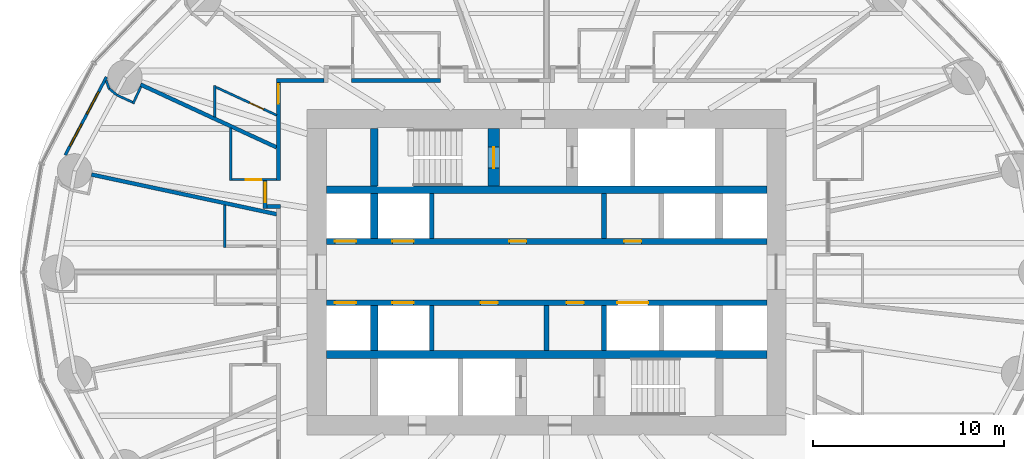
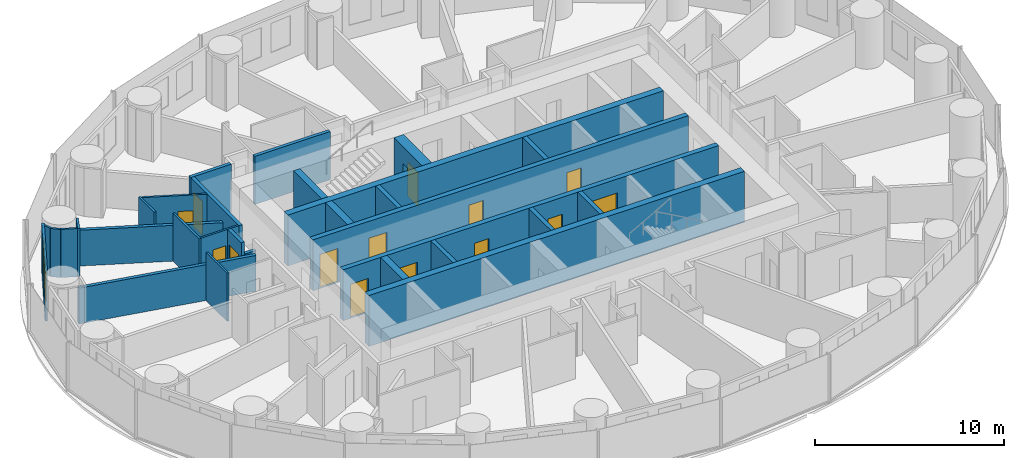
# One storey, part 8 of 14: 30 walls, 14 doors, 2 windows, 16 openings.
"""IFC4 building model written with IfcOpenShell, lengths in metres."""

import ifcopenshell
import ifcopenshell.guid

model = None  # the IFC model being written
_history = None  # IfcOwnerHistory: only IFC2X3 demands one
_inside = {}  # id of a spatial element -> (the spatial element, [elements in it])
_under = {}  # id of a project, library or spatial element -> (it, [spatial elements below it])
_declared = {}  # id of a project -> (the project, [libraries it declares])
_typed = {}  # id of a type object -> (the type object, [elements of that type])
_made_of = {}  # id of a material, layer set ... -> (it, [elements and type objects made of it])


def new_model(schema):
    """Start an empty IFC model of exactly this schema.

    Asked for "IFC4X3", IfcOpenShell would pick the latest addendum, in which some entities
    have other attributes; the version numbers below select the first issue.
    IFC2X3 requires an IfcOwnerHistory on every rooted entity: one is made here for all.
    """
    global model, _history
    if schema == "IFC4X3":
        model = ifcopenshell.file(schema_version=(4, 3, 0, 0))
    else:
        model = ifcopenshell.file(schema=schema)
    _inside.clear()
    _under.clear()
    _declared.clear()
    _typed.clear()
    _made_of.clear()
    _history = None
    if model.schema == "IFC2X3":
        org = make("IfcOrganization", Name="unknown")
        user = make(
            "IfcPersonAndOrganization",
            ThePerson=make("IfcPerson", FamilyName="unknown"),
            TheOrganization=org,
        )
        app = make(
            "IfcApplication",
            ApplicationDeveloper=org,
            Version="unknown",
            ApplicationFullName="unknown",
            ApplicationIdentifier="unknown",
        )
        _history = make(
            "IfcOwnerHistory",
            OwningUser=user,
            OwningApplication=app,
            ChangeAction="ADDED",
            CreationDate=0,
        )
    return model


def make(cls, **values):
    """One entity of the class cls with the attributes given. An attribute that is None is left unset."""
    return model.create_entity(
        cls, **{name: value for name, value in values.items() if value is not None}
    )


def rooted(cls, **values):
    """An entity with a GlobalId (a new one), such as an element, a storey or a relation."""
    return make(cls, GlobalId=ifcopenshell.guid.new(), OwnerHistory=_history, **values)


def si_unit(unit_type, name, prefix=None):
    """IfcSIUnit, for example si_unit("LENGTHUNIT", "METRE", prefix="MILLI")."""
    return make("IfcSIUnit", UnitType=unit_type, Prefix=prefix, Name=name)


def assignment(units):
    """IfcUnitAssignment: the units of a project."""
    return None if units is None else make("IfcUnitAssignment", Units=units)


def point(xyz):
    """IfcCartesianPoint."""
    return None if xyz is None else make("IfcCartesianPoint", Coordinates=xyz)


def direction(xyz):
    """IfcDirection."""
    return None if xyz is None else make("IfcDirection", DirectionRatios=xyz)


def frame(location, z_axis=None, x_axis=None):
    """IfcAxis2Placement3D, a coordinate frame: its origin and axes. An axis left out is left unset."""
    return make(
        "IfcAxis2Placement3D",
        Location=point(location),
        Axis=direction(z_axis),
        RefDirection=direction(x_axis),
    )


def frame_2d(location, x_axis=None):
    """IfcAxis2Placement2D, a coordinate frame in the plane: its origin and x axis."""
    return make(
        "IfcAxis2Placement2D", Location=point(location), RefDirection=direction(x_axis)
    )


def origin():
    """The frame at (0, 0, 0) with its axes left unset."""
    return frame((0.0, 0.0, 0.0))


def place(relative_to, where):
    """IfcLocalPlacement: puts the frame where relative to a parent placement (None: the world)."""
    return make(
        "IfcLocalPlacement", PlacementRelTo=relative_to, RelativePlacement=where
    )


def context(
    kind, dimensions, precision=None, world=None, true_north=None, identifier=None
):
    """IfcGeometricRepresentationContext, for example the 3D "Model" context."""
    return make(
        "IfcGeometricRepresentationContext",
        ContextIdentifier=identifier,
        ContextType=kind,
        CoordinateSpaceDimension=dimensions,
        Precision=precision,
        WorldCoordinateSystem=world,
        TrueNorth=true_north,
    )


def subcontext(parent, identifier, kind, view, scale=None):
    """IfcGeometricRepresentationSubContext, for example "Body" below "Model"."""
    return make(
        "IfcGeometricRepresentationSubContext",
        ContextIdentifier=identifier,
        ContextType=kind,
        ParentContext=parent,
        TargetScale=scale,
        TargetView=view,
    )


def project(units=None, contexts=None):
    """IfcProject with its units and contexts."""
    return rooted(
        "IfcProject",
        Name="project",
        RepresentationContexts=contexts,
        UnitsInContext=assignment(units),
    )


def spatial(cls, under=None, at=None, **own):
    """A site, building, storey or space (cls), placed at a placement, below another one or the project."""
    s = rooted(cls, ObjectPlacement=at, **own)
    if under is not None:
        _under.setdefault(under.id(), (under, []))[1].append(s)
    return s


def profile(cls, at=None, kind="AREA", **sizes):
    """A parametric profile (cls). Its sizes go by their IFC names, for example OverallWidth=200.0."""
    return make(cls, ProfileType=kind, Position=at, **sizes)


def rectangle(**sizes):
    """IfcRectangleProfileDef."""
    return profile("IfcRectangleProfileDef", **sizes)


def extrude(swept, where, along, depth):
    """IfcExtrudedAreaSolid: the profile swept, set in the frame where, extruded along a direction by depth."""
    return make(
        "IfcExtrudedAreaSolid",
        SweptArea=swept,
        Position=where,
        ExtrudedDirection=direction(along),
        Depth=depth,
    )


def shape(context_of_items, identifier, shape_type, items):
    """IfcShapeRepresentation: the items that make up one representation, for example the "Body"."""
    return make(
        "IfcShapeRepresentation",
        ContextOfItems=context_of_items,
        RepresentationIdentifier=identifier,
        RepresentationType=shape_type,
        Items=items,
    )


def material(Name=None, Category=None):
    """IfcMaterial."""
    return make("IfcMaterial", Name=Name, Category=Category)


def layer(
    of_material, thickness, ventilated=None, Name=None, Category=None, Priority=None
):
    """IfcMaterialLayer: one layer of a wall or slab, of a material (None: an air gap)."""
    return make(
        "IfcMaterialLayer",
        Material=of_material,
        LayerThickness=thickness,
        IsVentilated=ventilated,
        Name=Name,
        Category=Category,
        Priority=Priority,
    )


def layer_set(layers, Name=None):
    """IfcMaterialLayerSet."""
    return make("IfcMaterialLayerSet", MaterialLayers=layers, LayerSetName=Name)


def made_of(thing, what):
    """Note that an element or type object is made of a material, layer set ...; save() writes the relation."""
    if what is not None:
        _made_of.setdefault(what.id(), (what, []))[1].append(thing)
    return thing


def type_object(cls, material=None, **own):
    """A type object (cls), such as IfcWallType, which elements share."""
    return made_of(rooted(cls, **own), material)


def element(
    cls,
    number,
    at=None,
    inside=None,
    cuts=None,
    type_object=None,
    material=None,
    context=None,
    identifier="Body",
    shape_type=None,
    held_by="IfcProductDefinitionShape",
    body=None,
    shapes=None,
    **own,
):
    """One element of the class cls, such as IfcWall. Its Tag is "e" and its number.

    at: its placement. inside: the storey or other place that contains it. cuts: it is an
    opening in that element (IfcRelVoidsElement). A single representation is given by context,
    identifier, shape_type and body (its items); several are given by shapes. held_by: the class
    of the entity that holds the representations. save() writes the other relations.
    """
    e = rooted(cls, Tag="e%d" % number, ObjectPlacement=at, **own)
    if body is not None:
        shapes = [shape(context, identifier, shape_type, body)]
    if shapes is not None:
        e.Representation = make(held_by, Representations=shapes)
    if inside is not None:
        _inside.setdefault(inside.id(), (inside, []))[1].append(e)
    if cuts is not None:
        rooted(
            "IfcRelVoidsElement", RelatingBuildingElement=cuts, RelatedOpeningElement=e
        )
    if type_object is not None:
        _typed.setdefault(type_object.id(), (type_object, []))[1].append(e)
    return made_of(e, material)


def fill(opening, filler):
    """IfcRelFillsElement: the door or window that sits in an opening."""
    return rooted(
        "IfcRelFillsElement",
        RelatingOpeningElement=opening,
        RelatedBuildingElement=filler,
    )


def aggregate(whole, parts):
    """IfcRelAggregates: a whole, such as a stair, and the parts it consists of."""
    return rooted("IfcRelAggregates", RelatingObject=whole, RelatedObjects=parts)


def save(model, path):
    """Write the relations noted so far, then the file.

    IfcRelAggregates (storeys below a building ...), IfcRelContainedInSpatialStructure (elements
    in a storey), IfcRelDefinesByType, IfcRelAssociatesMaterial and IfcRelDeclares: one each for
    every whole, place, type object, material and project.
    """
    for whole, parts in _under.values():
        aggregate(whole, parts)
    for where, things in _inside.values():
        rooted(
            "IfcRelContainedInSpatialStructure",
            RelatedElements=things,
            RelatingStructure=where,
        )
    for kind, things in _typed.values():
        rooted("IfcRelDefinesByType", RelatedObjects=things, RelatingType=kind)
    for what, things in _made_of.values():
        rooted("IfcRelAssociatesMaterial", RelatedObjects=things, RelatingMaterial=what)
    for by, libraries in _declared.values():
        rooted("IfcRelDeclares", RelatingContext=by, RelatedDefinitions=libraries)
    model.write(path)


model = new_model("IFC4")

# Units and contexts
model_context = context("Model", 3, precision=1e-05, world=origin(), true_north=direction((0.0, 1.0)))
body_context = subcontext(model_context, "Body", "Model", "MODEL_VIEW")
ifc_project = project(units=[si_unit("LENGTHUNIT", "METRE"), si_unit("AREAUNIT", "SQUARE_METRE"), si_unit("VOLUMEUNIT", "CUBIC_METRE"), si_unit("PLANEANGLEUNIT", "RADIAN"), si_unit("MASSUNIT", "GRAM", prefix="KILO")], contexts=[model_context])

# Site, building, storey
site_placement = place(None, origin())
site = spatial("IfcSite", under=ifc_project, at=site_placement, CompositionType="ELEMENT")
building_placement = place(site_placement, origin())
building = spatial("IfcBuilding", under=site, at=building_placement, Name="Hankou Lantern Tower", CompositionType="ELEMENT")
storey_placement = place(building_placement, frame((0.0, 0.0, 36.0)))
storey = spatial("IfcBuildingStorey", under=building, at=storey_placement, Name="L07", CompositionType="ELEMENT", Elevation=36.0)

# Walls
ifc_material_1 = material(Name="Concrete C60", Category="concrete")
ifc_layer_1 = layer(ifc_material_1, 0.39990234375)
ifc_layer_set_1 = layer_set([ifc_layer_1], Name="Concrete C60")
wall_type_1 = type_object("IfcWallType", Name="CW4 CORE CROSS WALL 400", PredefinedType="SHEAR", material=ifc_layer_set_1)
for number, where, z_axis, x_axis, name in (
    (1, (-11.5, 4.300048828125, 0.0), (0.0, 0.0, 1.0), (1.0, 0.0, 0.0), "Core band wall north L07"),
    (2, (-11.5, -4.300048828125, 0.0), (0.0, 0.0, 1.0), (1.0, 0.0, 0.0), "Core band wall south L07"),
):
    element("IfcWall", number, at=place(storey_placement, frame(where, z_axis=z_axis, x_axis=x_axis)), inside=storey, type_object=wall_type_1, Name=name, PredefinedType="SHEAR", context=body_context, shape_type="SweptSolid", body=[
        extrude(rectangle(XDim=23.0, YDim=0.39990234375, at=frame_2d((11.5, 0.0))), origin(), (0.0, 0.0, 1.0), 3.300048828125),
    ])
wall_1_placement = place(storey_placement, frame((-9.0, 4.5, 0.0), z_axis=(0.0, 0.0, 1.0), x_axis=(0.0, 1.0, 0.0)))
element("IfcWall", 3, at=wall_1_placement, inside=storey, type_object=wall_type_1, Name="Core strip wall L07", PredefinedType="SHEAR", context=body_context, shape_type="SweptSolid", body=[
    extrude(rectangle(XDim=3.0, YDim=0.39990234375, at=frame_2d((1.5, 0.0))), origin(), (0.0, 0.0, 1.0), 3.300048828125),
])
for number, where, z_axis, x_axis, name in (
    (4, (-9.0, 1.75, 0.0), (0.0, 0.0, 1.0), (0.0, 1.0, 0.0), "Core strip wall L07"),
    (5, (-9.0, -4.10009765625, 0.0), (0.0, 0.0, 1.0), (0.0, 1.0, 0.0), "Core strip wall L07"),
):
    element("IfcWall", number, at=place(storey_placement, frame(where, z_axis=z_axis, x_axis=x_axis)), inside=storey, type_object=wall_type_1, Name=name, PredefinedType="SHEAR", context=body_context, shape_type="SweptSolid", body=[
        extrude(rectangle(XDim=2.35009765625, YDim=0.39990234375, at=frame_2d((1.175048828125, 0.0))), origin(), (0.0, 0.0, 1.0), 3.300048828125),
    ])

# Wall, openings, doors
ifc_material_2 = material(Name="Concrete C60", Category="concrete")
ifc_layer_2 = layer(ifc_material_2, 0.300048828125)
ifc_layer_set_2 = layer_set([ifc_layer_2], Name="Concrete C60")
wall_type_2 = type_object("IfcWallType", Name="CW5 LIFT LOBBY WALL 300", PredefinedType="SHEAR", material=ifc_layer_set_2)
wall_2_placement = place(storey_placement, frame((-11.5, 1.60009765625, 0.0), z_axis=(0.0, 0.0, 1.0), x_axis=(1.0, 0.0, 0.0)))
wall_2 = element("IfcWall", 6, at=wall_2_placement, inside=storey, type_object=wall_type_2, Name="Lift lobby wall north L07", PredefinedType="SHEAR", context=body_context, shape_type="SweptSolid", body=[
    extrude(rectangle(XDim=23.0, YDim=0.300048828125, at=frame_2d((11.5, 0.0))), origin(), (0.0, 0.0, 1.0), 3.300048828125),
])
opening_1_placement = place(wall_2_placement, frame((0.449951171875, 0.0, 0.0)))
opening_1 = element("IfcOpeningElement", 7, at=opening_1_placement, cuts=wall_2, Name="Opening LD1", PredefinedType="OPENING", context=body_context, shape_type="SweptSolid", body=[
    extrude(rectangle(XDim=1.10009765625, YDim=2.199951171875, at=frame_2d((0.550048828125, 1.10009765625))), frame((0.0, 0.159912109375, 0.0), z_axis=(0.0, -1.0, 0.0), x_axis=(1.0, 0.0, 0.0)), (0.0, 0.0, 1.0), 0.320068359375),
])
opening_2_placement = place(wall_2_placement, frame((3.449951171875, 0.0, 0.0)))
opening_2 = element("IfcOpeningElement", 8, at=opening_2_placement, cuts=wall_2, Name="Opening LD1", PredefinedType="OPENING", context=body_context, shape_type="SweptSolid", body=[
    extrude(rectangle(XDim=1.10009765625, YDim=2.199951171875, at=frame_2d((0.550048828125, 1.10009765625))), frame((0.0, 0.159912109375, 0.0), z_axis=(0.0, -1.0, 0.0), x_axis=(1.0, 0.0, 0.0)), (0.0, 0.0, 1.0), 0.320068359375),
])
opening_3_placement = place(wall_2_placement, frame((9.550048828125, 0.0, 0.0)))
opening_3 = element("IfcOpeningElement", 9, at=opening_3_placement, cuts=wall_2, Name="Opening D30", PredefinedType="OPENING", context=body_context, shape_type="SweptSolid", body=[
    extrude(rectangle(XDim=0.89990234375, YDim=2.199951171875, at=frame_2d((0.449951171875, 1.10009765625))), frame((0.0, 0.159912109375, 0.0), z_axis=(0.0, -1.0, 0.0), x_axis=(1.0, 0.0, 0.0)), (0.0, 0.0, 1.0), 0.320068359375),
])
opening_4_placement = place(wall_2_placement, frame((15.550048828125, 0.0, 0.0)))
opening_4 = element("IfcOpeningElement", 10, at=opening_4_placement, cuts=wall_2, Name="Opening D30", PredefinedType="OPENING", context=body_context, shape_type="SweptSolid", body=[
    extrude(rectangle(XDim=0.89990234375, YDim=2.199951171875, at=frame_2d((0.449951171875, 1.10009765625))), frame((0.0, 0.159912109375, 0.0), z_axis=(0.0, -1.0, 0.0), x_axis=(1.0, 0.0, 0.0)), (0.0, 0.0, 1.0), 0.320068359375),
])
ifc_material_3 = material(Name="Steel door leaf", Category="steel")
door_type_1 = type_object("IfcDoorType", Name="D30 CORE ROOM DOOR 900X2200", OperationType="SINGLE_SWING_LEFT", PredefinedType="DOOR", material=ifc_material_3)
door_1_placement = place(opening_3_placement, origin())
door_1 = element("IfcDoor", 11, at=door_1_placement, inside=storey, type_object=door_type_1, Name="Cleaner's store door", OperationType="SINGLE_SWING_LEFT", OverallHeight=2.199951171875, OverallWidth=0.89990234375, PredefinedType="DOOR", context=body_context, shape_type="SweptSolid", body=[
    extrude(rectangle(XDim=0.89990234375, YDim=2.199951171875, at=frame_2d((0.449951171875, 1.10009765625))), frame((0.0, 0.02490234375, 0.0), z_axis=(0.0, -1.0, 0.0), x_axis=(1.0, 0.0, 0.0)), (0.0, 0.0, 1.0), 0.050048828125),
])
fill(opening_3, door_1)
door_2_placement = place(opening_4_placement, origin())
door_2 = element("IfcDoor", 12, at=door_2_placement, inside=storey, type_object=door_type_1, Name="Minibar store door", OperationType="SINGLE_SWING_RIGHT", OverallHeight=2.199951171875, OverallWidth=0.89990234375, PredefinedType="DOOR", context=body_context, shape_type="SweptSolid", body=[
    extrude(rectangle(XDim=0.89990234375, YDim=2.199951171875, at=frame_2d((0.449951171875, 1.10009765625))), frame((0.0, 0.02490234375, 0.0), z_axis=(0.0, -1.0, 0.0), x_axis=(1.0, 0.0, 0.0)), (0.0, 0.0, 1.0), 0.050048828125),
])
fill(opening_4, door_2)
ifc_material_4 = material(Name="Steel door leaf", Category="steel")
door_type_2 = type_object("IfcDoorType", Name="LD1 LIFT LANDING DOOR 1100X2200", OperationType="DOUBLE_DOOR_SLIDING", PredefinedType="DOOR", material=ifc_material_4)
door_3_placement = place(opening_1_placement, origin())
door_3 = element("IfcDoor", 13, at=door_3_placement, inside=storey, type_object=door_type_2, Name="Lift L1 landing door", OperationType="DOUBLE_DOOR_SLIDING", OverallHeight=2.199951171875, OverallWidth=1.10009765625, PredefinedType="DOOR", context=body_context, shape_type="SweptSolid", body=[
    extrude(rectangle(XDim=1.10009765625, YDim=2.199951171875, at=frame_2d((0.550048828125, 1.10009765625))), frame((0.0, 0.02490234375, 0.0), z_axis=(0.0, -1.0, 0.0), x_axis=(1.0, 0.0, 0.0)), (0.0, 0.0, 1.0), 0.050048828125),
])
fill(opening_1, door_3)
door_4_placement = place(opening_2_placement, origin())
door_4 = element("IfcDoor", 14, at=door_4_placement, inside=storey, type_object=door_type_2, Name="Lift L2 landing door", OperationType="DOUBLE_DOOR_SLIDING", OverallHeight=2.199951171875, OverallWidth=1.10009765625, PredefinedType="DOOR", context=body_context, shape_type="SweptSolid", body=[
    extrude(rectangle(XDim=1.10009765625, YDim=2.199951171875, at=frame_2d((0.550048828125, 1.10009765625))), frame((0.0, 0.02490234375, 0.0), z_axis=(0.0, -1.0, 0.0), x_axis=(1.0, 0.0, 0.0)), (0.0, 0.0, 1.0), 0.050048828125),
])
fill(opening_2, door_4)

wall_3_placement = place(storey_placement, frame((-11.5, -1.60009765625, 0.0), z_axis=(0.0, 0.0, 1.0), x_axis=(1.0, 0.0, 0.0)))
wall_3 = element("IfcWall", 15, at=wall_3_placement, inside=storey, type_object=wall_type_2, Name="Lift lobby wall south L07", PredefinedType="SHEAR", context=body_context, shape_type="SweptSolid", body=[
    extrude(rectangle(XDim=23.0, YDim=0.300048828125, at=frame_2d((11.5, 0.0))), origin(), (0.0, 0.0, 1.0), 3.300048828125),
])
opening_5_placement = place(wall_3_placement, frame((0.449951171875, 0.0, 0.0)))
opening_5 = element("IfcOpeningElement", 16, at=opening_5_placement, cuts=wall_3, Name="Opening LD1", PredefinedType="OPENING", context=body_context, shape_type="SweptSolid", body=[
    extrude(rectangle(XDim=1.10009765625, YDim=2.199951171875, at=frame_2d((0.550048828125, 1.10009765625))), frame((0.0, 0.159912109375, 0.0), z_axis=(0.0, -1.0, 0.0), x_axis=(1.0, 0.0, 0.0)), (0.0, 0.0, 1.0), 0.320068359375),
])
opening_6_placement = place(wall_3_placement, frame((3.449951171875, 0.0, 0.0)))
opening_6 = element("IfcOpeningElement", 17, at=opening_6_placement, cuts=wall_3, Name="Opening LD1", PredefinedType="OPENING", context=body_context, shape_type="SweptSolid", body=[
    extrude(rectangle(XDim=1.10009765625, YDim=2.199951171875, at=frame_2d((0.550048828125, 1.10009765625))), frame((0.0, 0.159912109375, 0.0), z_axis=(0.0, -1.0, 0.0), x_axis=(1.0, 0.0, 0.0)), (0.0, 0.0, 1.0), 0.320068359375),
])
opening_7_placement = place(wall_3_placement, frame((15.199951171875, 0.0, 0.0)))
opening_7 = element("IfcOpeningElement", 18, at=opening_7_placement, cuts=wall_3, Name="Opening LD4", PredefinedType="OPENING", context=body_context, shape_type="SweptSolid", body=[
    extrude(rectangle(XDim=1.60009765625, YDim=2.39990234375, at=frame_2d((0.800048828125, 1.199951171875))), frame((0.0, 0.159912109375, 0.0), z_axis=(0.0, -1.0, 0.0), x_axis=(1.0, 0.0, 0.0)), (0.0, 0.0, 1.0), 0.320068359375),
])
opening_8_placement = place(wall_3_placement, frame((8.050048828125, 0.0, 0.0)))
opening_8 = element("IfcOpeningElement", 19, at=opening_8_placement, cuts=wall_3, Name="Opening D30", PredefinedType="OPENING", context=body_context, shape_type="SweptSolid", body=[
    extrude(rectangle(XDim=0.89990234375, YDim=2.199951171875, at=frame_2d((0.449951171875, 1.10009765625))), frame((0.0, 0.159912109375, 0.0), z_axis=(0.0, -1.0, 0.0), x_axis=(1.0, 0.0, 0.0)), (0.0, 0.0, 1.0), 0.320068359375),
])
opening_9_placement = place(wall_3_placement, frame((12.550048828125, 0.0, 0.0)))
opening_9 = element("IfcOpeningElement", 20, at=opening_9_placement, cuts=wall_3, Name="Opening D30", PredefinedType="OPENING", context=body_context, shape_type="SweptSolid", body=[
    extrude(rectangle(XDim=0.89990234375, YDim=2.199951171875, at=frame_2d((0.449951171875, 1.10009765625))), frame((0.0, 0.159912109375, 0.0), z_axis=(0.0, -1.0, 0.0), x_axis=(1.0, 0.0, 0.0)), (0.0, 0.0, 1.0), 0.320068359375),
])
door_5_placement = place(opening_8_placement, origin())
door_5 = element("IfcDoor", 21, at=door_5_placement, inside=storey, type_object=door_type_1, Name="Guest pantry and ice room door", OperationType="SINGLE_SWING_LEFT", OverallHeight=2.199951171875, OverallWidth=0.89990234375, PredefinedType="DOOR", context=body_context, shape_type="SweptSolid", body=[
    extrude(rectangle(XDim=0.89990234375, YDim=2.199951171875, at=frame_2d((0.449951171875, 1.10009765625))), frame((0.0, 0.02490234375, 0.0), z_axis=(0.0, -1.0, 0.0), x_axis=(1.0, 0.0, 0.0)), (0.0, 0.0, 1.0), 0.050048828125),
])
fill(opening_8, door_5)
door_6_placement = place(opening_9_placement, origin())
door_6 = element("IfcDoor", 22, at=door_6_placement, inside=storey, type_object=door_type_1, Name="Housekeeping and linen store door", OperationType="SINGLE_SWING_RIGHT", OverallHeight=2.199951171875, OverallWidth=0.89990234375, PredefinedType="DOOR", context=body_context, shape_type="SweptSolid", body=[
    extrude(rectangle(XDim=0.89990234375, YDim=2.199951171875, at=frame_2d((0.449951171875, 1.10009765625))), frame((0.0, 0.02490234375, 0.0), z_axis=(0.0, -1.0, 0.0), x_axis=(1.0, 0.0, 0.0)), (0.0, 0.0, 1.0), 0.050048828125),
])
fill(opening_9, door_6)
door_7_placement = place(opening_5_placement, origin())
door_7 = element("IfcDoor", 23, at=door_7_placement, inside=storey, type_object=door_type_2, Name="Lift L3 landing door", OperationType="DOUBLE_DOOR_SLIDING", OverallHeight=2.199951171875, OverallWidth=1.10009765625, PredefinedType="DOOR", context=body_context, shape_type="SweptSolid", body=[
    extrude(rectangle(XDim=1.10009765625, YDim=2.199951171875, at=frame_2d((0.550048828125, 1.10009765625))), frame((0.0, 0.02490234375, 0.0), z_axis=(0.0, -1.0, 0.0), x_axis=(1.0, 0.0, 0.0)), (0.0, 0.0, 1.0), 0.050048828125),
])
fill(opening_5, door_7)
door_8_placement = place(opening_6_placement, origin())
door_8 = element("IfcDoor", 24, at=door_8_placement, inside=storey, type_object=door_type_2, Name="Lift L4 landing door", OperationType="DOUBLE_DOOR_SLIDING", OverallHeight=2.199951171875, OverallWidth=1.10009765625, PredefinedType="DOOR", context=body_context, shape_type="SweptSolid", body=[
    extrude(rectangle(XDim=1.10009765625, YDim=2.199951171875, at=frame_2d((0.550048828125, 1.10009765625))), frame((0.0, 0.02490234375, 0.0), z_axis=(0.0, -1.0, 0.0), x_axis=(1.0, 0.0, 0.0)), (0.0, 0.0, 1.0), 0.050048828125),
])
fill(opening_6, door_8)
ifc_material_5 = material(Name="Steel door leaf", Category="steel")
door_type_3 = type_object("IfcDoorType", Name="LD4 SERVICE LIFT LANDING DOOR 1600X2400", OperationType="DOUBLE_DOOR_SLIDING", PredefinedType="DOOR", material=ifc_material_5)
door_9_placement = place(opening_7_placement, origin())
door_9 = element("IfcDoor", 25, at=door_9_placement, inside=storey, type_object=door_type_3, Name="Lift SV1 landing door", OperationType="DOUBLE_DOOR_SLIDING", OverallHeight=2.39990234375, OverallWidth=1.60009765625, PredefinedType="DOOR", context=body_context, shape_type="SweptSolid", body=[
    extrude(rectangle(XDim=1.60009765625, YDim=2.39990234375, at=frame_2d((0.800048828125, 1.199951171875))), frame((0.0, 0.02490234375, 0.0), z_axis=(0.0, -1.0, 0.0), x_axis=(1.0, 0.0, 0.0)), (0.0, 0.0, 1.0), 0.050048828125),
])
fill(opening_7, door_9)

# Wall, opening, door
ifc_material_6 = material(Name="Concrete C60", Category="concrete")
ifc_layer_3 = layer(ifc_material_6, 0.60009765625)
ifc_layer_set_3 = layer_set([ifc_layer_3], Name="Concrete C60")
wall_type_3 = type_object("IfcWallType", Name="CW6 STAIR AND SHAFT WALL 600", PredefinedType="SHEAR", material=ifc_layer_set_3)
wall_4_placement = place(storey_placement, frame((-2.75, 4.5, 0.0), z_axis=(0.0, 0.0, 1.0), x_axis=(0.0, 1.0, 0.0)))
wall_4 = element("IfcWall", 26, at=wall_4_placement, inside=storey, type_object=wall_type_3, Name="Stair wall L07", PredefinedType="SHEAR", context=body_context, shape_type="SweptSolid", body=[
    extrude(rectangle(XDim=3.0, YDim=0.60009765625, at=frame_2d((1.5, 0.0))), origin(), (0.0, 0.0, 1.0), 3.300048828125),
])
opening_10_placement = place(wall_4_placement, frame((0.925048828125, 0.0, 0.0)))
opening_10 = element("IfcOpeningElement", 27, at=opening_10_placement, cuts=wall_4, Name="Opening D4", PredefinedType="OPENING", context=body_context, shape_type="SweptSolid", body=[
    extrude(rectangle(XDim=1.10009765625, YDim=2.199951171875, at=frame_2d((0.550048828125, 1.10009765625))), frame((0.0, 0.31005859375, 0.0), z_axis=(0.0, -1.0, 0.0), x_axis=(1.0, 0.0, 0.0)), (0.0, 0.0, 1.0), 0.6201171875),
])
ifc_material_7 = material(Name="Steel door leaf", Category="steel")
door_type_4 = type_object("IfcDoorType", Name="D4 STAIR DOOR 1100X2200", OperationType="SINGLE_SWING_LEFT", PredefinedType="DOOR", material=ifc_material_7)
door_10_placement = place(opening_10_placement, origin())
door_10 = element("IfcDoor", 28, at=door_10_placement, inside=storey, type_object=door_type_4, Name="Stair A door", OperationType="SINGLE_SWING_LEFT", OverallHeight=2.199951171875, OverallWidth=1.10009765625, PredefinedType="DOOR", context=body_context, shape_type="SweptSolid", body=[
    extrude(rectangle(XDim=1.10009765625, YDim=2.199951171875, at=frame_2d((0.550048828125, 1.10009765625))), frame((0.0, 0.02490234375, 0.0), z_axis=(0.0, -1.0, 0.0), x_axis=(1.0, 0.0, 0.0)), (0.0, 0.0, 1.0), 0.050048828125),
])
fill(opening_10, door_10)

# Wall, openings, windows
ifc_material_8 = material(Name="Aluminium spandrel panel on steel studs", Category="steel")
ifc_layer_4 = layer(ifc_material_8, 0.14990234375)
ifc_layer_set_4 = layer_set([ifc_layer_4], Name="Aluminium spandrel panel on steel studs")
wall_type_4 = type_object("IfcWallType", Name="EW1 INNER SKIN WALL 150", PredefinedType="ELEMENTEDWALL", material=ifc_layer_set_4)
wall_5_placement = place(storey_placement, frame((-22.986083984375, 10.185302734375, 0.0), z_axis=(0.0, 0.0, 1.0), x_axis=(-0.467303182954, -0.884097129959, 0.0)))
wall_5 = element("IfcWall", 29, at=wall_5_placement, inside=storey, type_object=wall_type_4, Name="Inner skin R11-R12 L07", PredefinedType="ELEMENTEDWALL", context=body_context, shape_type="SweptSolid", body=[
    extrude(rectangle(XDim=4.6064453125, YDim=0.14990234375, at=frame_2d((2.30322265625, 0.0))), origin(), (0.0, 0.0, 1.0), 3.1201171875),
])
opening_11_placement = place(wall_5_placement, frame((0.874755859375, 0.0, 0.89990234375)))
opening_11 = element("IfcOpeningElement", 30, at=opening_11_placement, cuts=wall_5, Name="Opening W9", PredefinedType="OPENING", context=body_context, shape_type="SweptSolid", body=[
    extrude(rectangle(XDim=1.300048828125, YDim=1.89990234375, at=frame_2d((0.64990234375, 0.949951171875))), frame((0.0, 0.0849609375, 0.0), z_axis=(0.0, -1.0, 0.0), x_axis=(1.0, 0.0, 0.0)), (0.0, 0.0, 1.0), 0.169921875),
])
opening_12_placement = place(wall_5_placement, frame((2.77490234375, 0.0, 0.89990234375)))
opening_12 = element("IfcOpeningElement", 31, at=opening_12_placement, cuts=wall_5, Name="Opening W9", PredefinedType="OPENING", context=body_context, shape_type="SweptSolid", body=[
    extrude(rectangle(XDim=1.300048828125, YDim=1.89990234375, at=frame_2d((0.64990234375, 0.949951171875))), frame((0.0, 0.0849609375, 0.0), z_axis=(0.0, -1.0, 0.0), x_axis=(1.0, 0.0, 0.0)), (0.0, 0.0, 1.0), 0.169921875),
])
ifc_material_9 = material(Name="Aluminium framed double glazed window", Category="aluminium")
window_type = type_object("IfcWindowType", Name="W9 GUEST ROOM WINDOW 1300X1900", PartitioningType="DOUBLE_PANEL_VERTICAL", PredefinedType="WINDOW", material=ifc_material_9)
window_1_placement = place(opening_11_placement, origin())
window_1 = element("IfcWindow", 32, at=window_1_placement, inside=storey, type_object=window_type, Name="Window R11.1 L07", OverallHeight=1.89990234375, OverallWidth=1.300048828125, PartitioningType="SINGLE_PANEL", PredefinedType="WINDOW", context=body_context, shape_type="SweptSolid", body=[
    extrude(rectangle(XDim=1.300048828125, YDim=1.89990234375, at=frame_2d((0.64990234375, 0.949951171875))), frame((0.0, 0.030029296875, 0.0), z_axis=(0.0, -1.0, 0.0), x_axis=(1.0, 0.0, 0.0)), (0.0, 0.0, 1.0), 0.06005859375),
])
fill(opening_11, window_1)
window_2_placement = place(opening_12_placement, origin())
window_2 = element("IfcWindow", 33, at=window_2_placement, inside=storey, type_object=window_type, Name="Window R11.2 L07", OverallHeight=1.89990234375, OverallWidth=1.300048828125, PartitioningType="SINGLE_PANEL", PredefinedType="WINDOW", context=body_context, shape_type="SweptSolid", body=[
    extrude(rectangle(XDim=1.300048828125, YDim=1.89990234375, at=frame_2d((0.64990234375, 0.949951171875))), frame((0.0, 0.030029296875, 0.0), z_axis=(0.0, -1.0, 0.0), x_axis=(1.0, 0.0, 0.0)), (0.0, 0.0, 1.0), 0.06005859375),
])
fill(opening_12, window_2)

# Walls
ifc_material_10 = material(Name="Masonry lightweight concrete block", Category="masonry")
ifc_layer_5 = layer(ifc_material_10, 0.199951171875)
ifc_layer_set_5 = layer_set([ifc_layer_5], Name="Masonry lightweight concrete block")
wall_type_5 = type_object("IfcWallType", Name="IW1 GUEST ROOM PARTY WALL 200", PredefinedType="PARTITIONING", material=ifc_layer_set_5)
wall_6_placement = place(storey_placement, frame((-14.10009765625, 6.512451171875, 0.0), z_axis=(0.0, 0.0, 1.0), x_axis=(-0.907842433118, 0.41931147925, 0.0)))
element("IfcWall", 34, at=wall_6_placement, inside=storey, type_object=wall_type_5, Name="Party wall R11", PredefinedType="PARTITIONING", context=body_context, shape_type="SweptSolid", body=[
    extrude(rectangle(XDim=7.822998046875, YDim=0.199951171875, at=frame_2d((3.91162109375, 0.0))), origin(), (0.0, 0.0, 1.0), 2.320068359375),
])
wall_7_placement = place(storey_placement, frame((-14.10009765625, 3.0224609375, 0.0), z_axis=(0.0, 0.0, 1.0), x_axis=(-0.977786510688, 0.209603290805, 0.0)))
element("IfcWall", 35, at=wall_7_placement, inside=storey, type_object=wall_type_5, Name="Party wall R12", PredefinedType="PARTITIONING", context=body_context, shape_type="SweptSolid", body=[
    extrude(rectangle(XDim=9.88671875, YDim=0.199951171875, at=frame_2d((4.943359375, 0.0))), origin(), (0.0, 0.0, 1.0), 2.320068359375),
])

# Wall, opening, door
ifc_material_11 = material(Name="Masonry lightweight concrete block", Category="masonry")
ifc_layer_6 = layer(ifc_material_11, 0.199951171875)
ifc_layer_set_6 = layer_set([ifc_layer_6], Name="Masonry lightweight concrete block")
wall_type_6 = type_object("IfcWallType", Name="IW2 CORRIDOR WALL 200", PredefinedType="PARTITIONING", material=ifc_layer_set_6)
wall_8_placement = place(storey_placement, frame((-14.699951171875, 4.7724609375, 0.0), z_axis=(0.0, 0.0, 1.0), x_axis=(0.0, -1.0, 0.0)))
wall_8 = element("IfcWall", 36, at=wall_8_placement, inside=storey, type_object=wall_type_6, Name="Corridor recess wall 0713 back", PredefinedType="PARTITIONING", context=body_context, shape_type="SweptSolid", body=[
    extrude(rectangle(XDim=1.43994140625, YDim=0.199951171875, at=frame_2d((0.719970703125, 0.0))), origin(), (0.0, 0.0, 1.0), 3.1201171875),
])
opening_13_placement = place(wall_8_placement, frame((0.1201171875, 0.0, 0.0)))
opening_13 = element("IfcOpeningElement", 37, at=opening_13_placement, cuts=wall_8, Name="Opening D1", PredefinedType="OPENING", context=body_context, shape_type="SweptSolid", body=[
    extrude(rectangle(XDim=1.0, YDim=2.199951171875, at=frame_2d((0.5, 1.10009765625))), frame((0.0, 0.10986328125, 0.0), z_axis=(0.0, -1.0, 0.0), x_axis=(1.0, 0.0, 0.0)), (0.0, 0.0, 1.0), 0.219970703125),
])
ifc_material_12 = material(Name="Steel door leaf", Category="steel")
door_type_5 = type_object("IfcDoorType", Name="D1 GUEST ROOM DOOR 1000X2200", OperationType="SINGLE_SWING_LEFT", PredefinedType="DOOR", material=ifc_material_12)
door_11_placement = place(opening_13_placement, origin())
door_11 = element("IfcDoor", 38, at=door_11_placement, inside=storey, type_object=door_type_5, Name="Guest room door 0713", OperationType="SINGLE_SWING_LEFT", OverallHeight=2.199951171875, OverallWidth=1.0, PredefinedType="DOOR", context=body_context, shape_type="SweptSolid", body=[
    extrude(rectangle(XDim=1.0, YDim=2.199951171875, at=frame_2d((0.5, 1.10009765625))), frame((0.0, 0.02490234375, 0.0), z_axis=(0.0, -1.0, 0.0), x_axis=(1.0, 0.0, 0.0)), (0.0, 0.0, 1.0), 0.050048828125),
])
fill(opening_13, door_11)

# Walls
wall_9_placement = place(storey_placement, frame((-13.89990234375, 3.4326171875, 0.0), z_axis=(0.0, 0.0, 1.0), x_axis=(-1.0, 0.0, 0.0)))
element("IfcWall", 39, at=wall_9_placement, inside=storey, type_object=wall_type_6, Name="Corridor recess wall 0713 side", PredefinedType="PARTITIONING", context=body_context, shape_type="SweptSolid", body=[
    extrude(rectangle(XDim=0.7001953125, YDim=0.199951171875, at=frame_2d((0.35009765625, 0.0))), origin(), (0.0, 0.0, 1.0), 2.320068359375),
])
wall_10_placement = place(storey_placement, frame((-14.10009765625, 10.0, 0.0), z_axis=(0.0, 0.0, 1.0), x_axis=(1.0, 0.0, 0.0)))
element("IfcWall", 40, at=wall_10_placement, inside=storey, type_object=wall_type_6, Name="Corridor wall north", PredefinedType="PARTITIONING", context=body_context, shape_type="SweptSolid", body=[
    extrude(rectangle(XDim=2.48095703125, YDim=0.199951171875, at=frame_2d((1.240478515625, 0.0))), origin(), (0.0, 0.0, 1.0), 3.1201171875),
])
wall_11_placement = place(storey_placement, frame((-10.178955078125, 10.0, 0.0), z_axis=(0.0, 0.0, 1.0), x_axis=(1.0, 0.0, 0.0)))
element("IfcWall", 41, at=wall_11_placement, inside=storey, type_object=wall_type_6, Name="Corridor wall north", PredefinedType="PARTITIONING", context=body_context, shape_type="SweptSolid", body=[
    extrude(rectangle(XDim=4.6298828125, YDim=0.199951171875, at=frame_2d((2.31494140625, 0.0))), origin(), (0.0, 0.0, 1.0), 3.1201171875),
])

# Wall, opening, door
wall_12_placement = place(storey_placement, frame((-14.0, 9.89990234375, 0.0), z_axis=(0.0, 0.0, 1.0), x_axis=(0.0, -1.0, 0.0)))
wall_12 = element("IfcWall", 42, at=wall_12_placement, inside=storey, type_object=wall_type_6, Name="Corridor wall west", PredefinedType="PARTITIONING", context=body_context, shape_type="SweptSolid", body=[
    extrude(rectangle(XDim=5.12744140625, YDim=0.199951171875, at=frame_2d((2.563720703125, 0.0))), origin(), (0.0, 0.0, 1.0), 3.1201171875),
])
opening_14_placement = place(wall_12_placement, frame((0.1025390625, 0.0, 0.0)))
opening_14 = element("IfcOpeningElement", 43, at=opening_14_placement, cuts=wall_12, Name="Opening D1", PredefinedType="OPENING", context=body_context, shape_type="SweptSolid", body=[
    extrude(rectangle(XDim=1.0, YDim=2.199951171875, at=frame_2d((0.5, 1.10009765625))), frame((0.0, 0.10986328125, 0.0), z_axis=(0.0, -1.0, 0.0), x_axis=(1.0, 0.0, 0.0)), (0.0, 0.0, 1.0), 0.219970703125),
])
door_12_placement = place(opening_14_placement, origin())
door_12 = element("IfcDoor", 44, at=door_12_placement, inside=storey, type_object=door_type_5, Name="Guest room door 0712", OperationType="SINGLE_SWING_LEFT", OverallHeight=2.199951171875, OverallWidth=1.0, PredefinedType="DOOR", context=body_context, shape_type="SweptSolid", body=[
    extrude(rectangle(XDim=1.0, YDim=2.199951171875, at=frame_2d((0.5, 1.10009765625))), frame((0.0, 0.02490234375, 0.0), z_axis=(0.0, -1.0, 0.0), x_axis=(1.0, 0.0, 0.0)), (0.0, 0.0, 1.0), 0.050048828125),
])
fill(opening_14, door_12)

# Wall
ifc_material_13 = material(Name="Masonry lightweight concrete block", Category="masonry")
ifc_layer_7 = layer(ifc_material_13, 0.1201171875)
ifc_layer_set_7 = layer_set([ifc_layer_7], Name="Masonry lightweight concrete block")
wall_type_7 = type_object("IfcWallType", Name="IW3 BATHROOM WALL 120", PredefinedType="PARTITIONING", material=ifc_layer_set_7)
wall_13_placement = place(storey_placement, frame((-17.32275390625, 8.10107421875, 0.0), z_axis=(0.0, 0.0, 1.0), x_axis=(0.0, 1.0, 0.0)))
element("IfcWall", 45, at=wall_13_placement, inside=storey, type_object=wall_type_7, Name="Box wall 0712 1", PredefinedType="PARTITIONING", context=body_context, shape_type="SweptSolid", body=[
    extrude(rectangle(XDim=1.639892578125, YDim=0.1201171875, at=frame_2d((0.81982421875, 0.0))), origin(), (0.0, 0.0, 1.0), 3.1201171875),
])

# Wall, opening, door
wall_14_placement = place(storey_placement, frame((-14.10009765625, 8.192626953125, 0.0), z_axis=(0.0, 0.0, 1.0), x_axis=(-0.907836493557, 0.419324338628, 0.0)))
wall_14 = element("IfcWall", 46, at=wall_14_placement, inside=storey, type_object=wall_type_7, Name="Box wall 0712 1", PredefinedType="PARTITIONING", context=body_context, shape_type="SweptSolid", body=[
    extrude(rectangle(XDim=3.48974609375, YDim=0.1201171875, at=frame_2d((1.744873046875, 0.0))), origin(), (0.0, 0.0, 1.0), 3.1201171875),
])
opening_15_placement = place(wall_14_placement, frame((0.75, 0.0, 0.0)))
opening_15 = element("IfcOpeningElement", 47, at=opening_15_placement, cuts=wall_14, Name="Opening D3", PredefinedType="OPENING", context=body_context, shape_type="SweptSolid", body=[
    extrude(rectangle(XDim=0.800048828125, YDim=2.10009765625, at=frame_2d((0.39990234375, 1.050048828125))), frame((0.0, 0.070068359375, 0.0), z_axis=(0.0, -1.0, 0.0), x_axis=(1.0, 0.0, 0.0)), (0.0, 0.0, 1.0), 0.14013671875),
])
ifc_material_14 = material(Name="Timber door leaf", Category="wood")
door_type_6 = type_object("IfcDoorType", Name="D3 BATHROOM DOOR 800X2100", OperationType="SINGLE_SWING_LEFT", PredefinedType="DOOR", material=ifc_material_14)
door_13_placement = place(opening_15_placement, origin())
door_13 = element("IfcDoor", 48, at=door_13_placement, inside=storey, type_object=door_type_6, Name="En-suite bathroom 0712 door", OperationType="SINGLE_SWING_LEFT", OverallHeight=2.10009765625, OverallWidth=0.800048828125, PredefinedType="DOOR", context=body_context, shape_type="SweptSolid", body=[
    extrude(rectangle(XDim=0.800048828125, YDim=2.10009765625, at=frame_2d((0.39990234375, 1.050048828125))), frame((0.0, 0.02490234375, 0.0), z_axis=(0.0, -1.0, 0.0), x_axis=(1.0, 0.0, 0.0)), (0.0, 0.0, 1.0), 0.050048828125),
])
fill(opening_15, door_13)

# Wall
wall_15_placement = place(storey_placement, frame((-16.5, 7.52099609375, 0.0), z_axis=(0.0, 0.0, 1.0), x_axis=(0.0, -1.0, 0.0)))
element("IfcWall", 49, at=wall_15_placement, inside=storey, type_object=wall_type_7, Name="Box wall 0713 1", PredefinedType="PARTITIONING", context=body_context, shape_type="SweptSolid", body=[
    extrude(rectangle(XDim=2.74853515625, YDim=0.1201171875, at=frame_2d((1.374267578125, 0.0))), origin(), (0.0, 0.0, 1.0), 3.1201171875),
])

# Wall, opening, door
wall_16_placement = place(storey_placement, frame((-14.10009765625, 4.83251953125, 0.0), z_axis=(0.0, 0.0, 1.0), x_axis=(-1.0, 0.0, 0.0)))
wall_16 = element("IfcWall", 50, at=wall_16_placement, inside=storey, type_object=wall_type_7, Name="Box wall 0713 1", PredefinedType="PARTITIONING", context=body_context, shape_type="SweptSolid", body=[
    extrude(rectangle(XDim=2.33984375, YDim=0.1201171875, at=frame_2d((1.169921875, 0.0))), origin(), (0.0, 0.0, 1.0), 3.1201171875),
])
opening_16_placement = place(wall_16_placement, frame((0.800048828125, 0.0, 0.0)))
opening_16 = element("IfcOpeningElement", 51, at=opening_16_placement, cuts=wall_16, Name="Opening D3", PredefinedType="OPENING", context=body_context, shape_type="SweptSolid", body=[
    extrude(rectangle(XDim=0.800048828125, YDim=2.10009765625, at=frame_2d((0.39990234375, 1.050048828125))), frame((0.0, 0.070068359375, 0.0), z_axis=(0.0, -1.0, 0.0), x_axis=(1.0, 0.0, 0.0)), (0.0, 0.0, 1.0), 0.14013671875),
])
door_14_placement = place(opening_16_placement, origin())
door_14 = element("IfcDoor", 52, at=door_14_placement, inside=storey, type_object=door_type_6, Name="En-suite bathroom 0713 door", OperationType="SINGLE_SWING_LEFT", OverallHeight=2.10009765625, OverallWidth=0.800048828125, PredefinedType="DOOR", context=body_context, shape_type="SweptSolid", body=[
    extrude(rectangle(XDim=0.800048828125, YDim=2.10009765625, at=frame_2d((0.39990234375, 1.050048828125))), frame((0.0, 0.02490234375, 0.0), z_axis=(0.0, -1.0, 0.0), x_axis=(1.0, 0.0, 0.0)), (0.0, 0.0, 1.0), 0.050048828125),
])
fill(opening_16, door_14)

# Walls
wall_17_placement = place(storey_placement, frame((-16.800048828125, 3.501220703125, 0.0), z_axis=(0.0, 0.0, 1.0), x_axis=(0.0, -1.0, 0.0)))
element("IfcWall", 53, at=wall_17_placement, inside=storey, type_object=wall_type_7, Name="Box wall 0714 1", PredefinedType="PARTITIONING", context=body_context, shape_type="SweptSolid", body=[
    extrude(rectangle(XDim=2.21875, YDim=0.1201171875, at=frame_2d((1.109375, 0.0))), origin(), (0.0, 0.0, 1.0), 3.1201171875),
])
ifc_material_15 = material(Name="Masonry lightweight concrete block", Category="masonry")
ifc_layer_8 = layer(ifc_material_15, 0.1201171875)
ifc_layer_set_8 = layer_set([ifc_layer_8], Name="Masonry lightweight concrete block")
wall_type_8 = type_object("IfcWallType", Name="IW4 PARTITION 120", PredefinedType="PARTITIONING", material=ifc_layer_set_8)
wall_18_placement = place(storey_placement, frame((-21.189453125, 9.6767578125, 0.0), z_axis=(0.0, 0.0, 1.0), x_axis=(-0.419344098106, -0.907827366509, 0.0)))
element("IfcWall", 54, at=wall_18_placement, inside=storey, type_object=wall_type_8, Name="Column casing R11 return", PredefinedType="PARTITIONING", context=body_context, shape_type="SweptSolid", body=[
    extrude(rectangle(XDim=0.974609375, YDim=0.1201171875, at=frame_2d((0.4873046875, 0.0))), origin(), (0.0, 0.0, 1.0), 3.1201171875),
])
wall_19_placement = place(storey_placement, frame((-21.62744140625, 8.871826171875, 0.0), z_axis=(0.0, 0.0, 1.0), x_axis=(-0.907935564339, 0.419109783957, 0.0)))
element("IfcWall", 55, at=wall_19_placement, inside=storey, type_object=wall_type_8, Name="Column casing R11", PredefinedType="PARTITIONING", context=body_context, shape_type="SweptSolid", body=[
    extrude(rectangle(XDim=0.89990234375, YDim=0.1201171875, at=frame_2d((0.449951171875, 0.0))), origin(), (0.0, 0.0, 1.0), 3.1201171875),
])
wall_20_placement = place(storey_placement, frame((-22.444580078125, 9.2490234375, 0.0), z_axis=(0.0, 0.0, 1.0), x_axis=(-0.768335565584, 0.640047231584, 0.0)))
element("IfcWall", 56, at=wall_20_placement, inside=storey, type_object=wall_type_8, Name="Column casing R11", PredefinedType="PARTITIONING", context=body_context, shape_type="SweptSolid", body=[
    extrude(rectangle(XDim=0.525146484375, YDim=0.1201171875, at=frame_2d((0.2626953125, 0.0))), origin(), (0.0, 0.0, 1.0), 3.1201171875),
])
wall_21_placement = place(storey_placement, frame((-22.84814453125, 9.585205078125, 0.0), z_axis=(0.0, 0.0, 1.0), x_axis=(-0.345267312673, 0.938504386138, 0.0)))
element("IfcWall", 57, at=wall_21_placement, inside=storey, type_object=wall_type_8, Name="Column casing R11", PredefinedType="PARTITIONING", context=body_context, shape_type="SweptSolid", body=[
    extrude(rectangle(XDim=0.439208984375, YDim=0.1201171875, at=frame_2d((0.2197265625, 0.0))), origin(), (0.0, 0.0, 1.0), 3.1201171875),
])
ifc_material_16 = material(Name="Masonry autoclaved aerated concrete block", Category="masonry")
ifc_layer_9 = layer(ifc_material_16, 0.25)
ifc_layer_set_9 = layer_set([ifc_layer_9], Name="Masonry autoclaved aerated concrete block")
wall_type_9 = type_object("IfcWallType", Name="SW1 SHAFT BLOCK WALL 250", PredefinedType="PARTITIONING", material=ifc_layer_set_9)
for number, where, z_axis, x_axis, name in (
    (58, (-6.0, 1.75, 0.0), (0.0, 0.0, 1.0), (0.0, 1.0, 0.0), "Lift shaft wall L07"),
    (59, (3.0, 1.75, 0.0), (0.0, 0.0, 1.0), (0.0, 1.0, 0.0), "Lift shaft wall L07"),
    (60, (-6.0, -4.10009765625, 0.0), (0.0, 0.0, 1.0), (0.0, 1.0, 0.0), "Lift shaft wall L07"),
    (61, (0.0, -4.10009765625, 0.0), (0.0, 0.0, 1.0), (0.0, 1.0, 0.0), "Lift shaft wall L07"),
    (62, (3.0, -4.10009765625, 0.0), (0.0, 0.0, 1.0), (0.0, 1.0, 0.0), "Lift shaft wall L07"),
):
    element("IfcWall", number, at=place(storey_placement, frame(where, z_axis=z_axis, x_axis=x_axis)), inside=storey, type_object=wall_type_9, Name=name, PredefinedType="PARTITIONING", context=body_context, shape_type="SweptSolid", body=[
        extrude(rectangle(XDim=2.35009765625, YDim=0.25, at=frame_2d((1.175048828125, 0.0))), origin(), (0.0, 0.0, 1.0), 3.300048828125),
    ])

save(model, "model.ifc")
